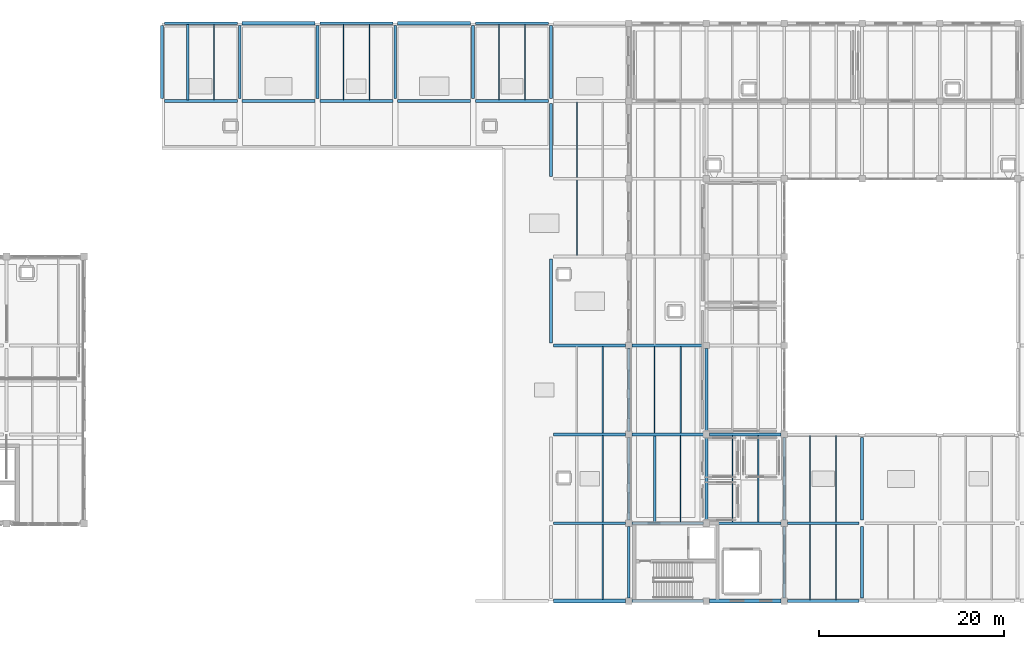
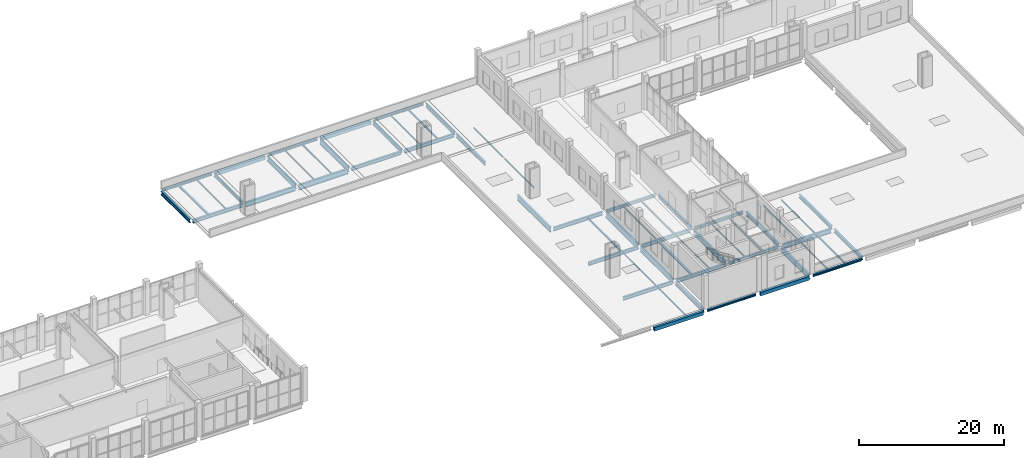
# One storey, part 19 of 49: 61 beams.
"""IFC4 building model written with IfcOpenShell, lengths in metres."""

import ifcopenshell
import ifcopenshell.guid

model = None  # the IFC model being written
_history = None  # IfcOwnerHistory: only IFC2X3 demands one
_inside = {}  # id of a spatial element -> (the spatial element, [elements in it])
_under = {}  # id of a project, library or spatial element -> (it, [spatial elements below it])
_declared = {}  # id of a project -> (the project, [libraries it declares])
_typed = {}  # id of a type object -> (the type object, [elements of that type])
_made_of = {}  # id of a material, layer set ... -> (it, [elements and type objects made of it])


def new_model(schema):
    """Start an empty IFC model of exactly this schema.

    Asked for "IFC4X3", IfcOpenShell would pick the latest addendum, in which some entities
    have other attributes; the version numbers below select the first issue.
    IFC2X3 requires an IfcOwnerHistory on every rooted entity: one is made here for all.
    """
    global model, _history
    if schema == "IFC4X3":
        model = ifcopenshell.file(schema_version=(4, 3, 0, 0))
    else:
        model = ifcopenshell.file(schema=schema)
    _inside.clear()
    _under.clear()
    _declared.clear()
    _typed.clear()
    _made_of.clear()
    _history = None
    if model.schema == "IFC2X3":
        org = make("IfcOrganization", Name="unknown")
        user = make(
            "IfcPersonAndOrganization",
            ThePerson=make("IfcPerson", FamilyName="unknown"),
            TheOrganization=org,
        )
        app = make(
            "IfcApplication",
            ApplicationDeveloper=org,
            Version="unknown",
            ApplicationFullName="unknown",
            ApplicationIdentifier="unknown",
        )
        _history = make(
            "IfcOwnerHistory",
            OwningUser=user,
            OwningApplication=app,
            ChangeAction="ADDED",
            CreationDate=0,
        )
    return model


def make(cls, **values):
    """One entity of the class cls with the attributes given. An attribute that is None is left unset."""
    return model.create_entity(
        cls, **{name: value for name, value in values.items() if value is not None}
    )


def rooted(cls, **values):
    """An entity with a GlobalId (a new one), such as an element, a storey or a relation."""
    return make(cls, GlobalId=ifcopenshell.guid.new(), OwnerHistory=_history, **values)


def si_unit(unit_type, name, prefix=None):
    """IfcSIUnit, for example si_unit("LENGTHUNIT", "METRE", prefix="MILLI")."""
    return make("IfcSIUnit", UnitType=unit_type, Prefix=prefix, Name=name)


def assignment(units):
    """IfcUnitAssignment: the units of a project."""
    return None if units is None else make("IfcUnitAssignment", Units=units)


def point(xyz):
    """IfcCartesianPoint."""
    return None if xyz is None else make("IfcCartesianPoint", Coordinates=xyz)


def direction(xyz):
    """IfcDirection."""
    return None if xyz is None else make("IfcDirection", DirectionRatios=xyz)


def frame(location, z_axis=None, x_axis=None):
    """IfcAxis2Placement3D, a coordinate frame: its origin and axes. An axis left out is left unset."""
    return make(
        "IfcAxis2Placement3D",
        Location=point(location),
        Axis=direction(z_axis),
        RefDirection=direction(x_axis),
    )


def frame_2d(location, x_axis=None):
    """IfcAxis2Placement2D, a coordinate frame in the plane: its origin and x axis."""
    return make(
        "IfcAxis2Placement2D", Location=point(location), RefDirection=direction(x_axis)
    )


def origin():
    """The frame at (0, 0, 0) with its axes left unset."""
    return frame((0.0, 0.0, 0.0))


def origin_2d():
    """The frame at (0, 0) in the plane with its x axis left unset."""
    return frame_2d((0.0, 0.0))


def place(relative_to, where):
    """IfcLocalPlacement: puts the frame where relative to a parent placement (None: the world)."""
    return make(
        "IfcLocalPlacement", PlacementRelTo=relative_to, RelativePlacement=where
    )


def context(
    kind, dimensions, precision=None, world=None, true_north=None, identifier=None
):
    """IfcGeometricRepresentationContext, for example the 3D "Model" context."""
    return make(
        "IfcGeometricRepresentationContext",
        ContextIdentifier=identifier,
        ContextType=kind,
        CoordinateSpaceDimension=dimensions,
        Precision=precision,
        WorldCoordinateSystem=world,
        TrueNorth=true_north,
    )


def subcontext(parent, identifier, kind, view, scale=None):
    """IfcGeometricRepresentationSubContext, for example "Body" below "Model"."""
    return make(
        "IfcGeometricRepresentationSubContext",
        ContextIdentifier=identifier,
        ContextType=kind,
        ParentContext=parent,
        TargetScale=scale,
        TargetView=view,
    )


def project(units=None, contexts=None):
    """IfcProject with its units and contexts."""
    return rooted(
        "IfcProject",
        Name="project",
        RepresentationContexts=contexts,
        UnitsInContext=assignment(units),
    )


def spatial(cls, under=None, at=None, **own):
    """A site, building, storey or space (cls), placed at a placement, below another one or the project."""
    s = rooted(cls, ObjectPlacement=at, **own)
    if under is not None:
        _under.setdefault(under.id(), (under, []))[1].append(s)
    return s


def profile(cls, at=None, kind="AREA", **sizes):
    """A parametric profile (cls). Its sizes go by their IFC names, for example OverallWidth=200.0."""
    return make(cls, ProfileType=kind, Position=at, **sizes)


def rectangle(**sizes):
    """IfcRectangleProfileDef."""
    return profile("IfcRectangleProfileDef", **sizes)


def i_section(**sizes):
    """IfcIShapeProfileDef."""
    return profile("IfcIShapeProfileDef", **sizes)


def extrude(swept, where, along, depth):
    """IfcExtrudedAreaSolid: the profile swept, set in the frame where, extruded along a direction by depth."""
    return make(
        "IfcExtrudedAreaSolid",
        SweptArea=swept,
        Position=where,
        ExtrudedDirection=direction(along),
        Depth=depth,
    )


def shape(context_of_items, identifier, shape_type, items):
    """IfcShapeRepresentation: the items that make up one representation, for example the "Body"."""
    return make(
        "IfcShapeRepresentation",
        ContextOfItems=context_of_items,
        RepresentationIdentifier=identifier,
        RepresentationType=shape_type,
        Items=items,
    )


def material(Name=None, Category=None):
    """IfcMaterial."""
    return make("IfcMaterial", Name=Name, Category=Category)


def material_profile(
    of_material, cross_section, Name=None, Category=None, Priority=None
):
    """IfcMaterialProfile: a cross section and its material."""
    return make(
        "IfcMaterialProfile",
        Name=Name,
        Material=of_material,
        Profile=cross_section,
        Priority=Priority,
        Category=Category,
    )


def profile_set(profiles, Name=None, composite=None):
    """IfcMaterialProfileSet."""
    return make(
        "IfcMaterialProfileSet",
        Name=Name,
        MaterialProfiles=profiles,
        CompositeProfile=composite,
    )


def made_of(thing, what):
    """Note that an element or type object is made of a material, layer set ...; save() writes the relation."""
    if what is not None:
        _made_of.setdefault(what.id(), (what, []))[1].append(thing)
    return thing


def type_object(cls, material=None, **own):
    """A type object (cls), such as IfcWallType, which elements share."""
    return made_of(rooted(cls, **own), material)


def element(
    cls,
    number,
    at=None,
    inside=None,
    cuts=None,
    type_object=None,
    material=None,
    context=None,
    identifier="Body",
    shape_type=None,
    held_by="IfcProductDefinitionShape",
    body=None,
    shapes=None,
    **own,
):
    """One element of the class cls, such as IfcWall. Its Tag is "e" and its number.

    at: its placement. inside: the storey or other place that contains it. cuts: it is an
    opening in that element (IfcRelVoidsElement). A single representation is given by context,
    identifier, shape_type and body (its items); several are given by shapes. held_by: the class
    of the entity that holds the representations. save() writes the other relations.
    """
    e = rooted(cls, Tag="e%d" % number, ObjectPlacement=at, **own)
    if body is not None:
        shapes = [shape(context, identifier, shape_type, body)]
    if shapes is not None:
        e.Representation = make(held_by, Representations=shapes)
    if inside is not None:
        _inside.setdefault(inside.id(), (inside, []))[1].append(e)
    if cuts is not None:
        rooted(
            "IfcRelVoidsElement", RelatingBuildingElement=cuts, RelatedOpeningElement=e
        )
    if type_object is not None:
        _typed.setdefault(type_object.id(), (type_object, []))[1].append(e)
    return made_of(e, material)


def aggregate(whole, parts):
    """IfcRelAggregates: a whole, such as a stair, and the parts it consists of."""
    return rooted("IfcRelAggregates", RelatingObject=whole, RelatedObjects=parts)


def save(model, path):
    """Write the relations noted so far, then the file.

    IfcRelAggregates (storeys below a building ...), IfcRelContainedInSpatialStructure (elements
    in a storey), IfcRelDefinesByType, IfcRelAssociatesMaterial and IfcRelDeclares: one each for
    every whole, place, type object, material and project.
    """
    for whole, parts in _under.values():
        aggregate(whole, parts)
    for where, things in _inside.values():
        rooted(
            "IfcRelContainedInSpatialStructure",
            RelatedElements=things,
            RelatingStructure=where,
        )
    for kind, things in _typed.values():
        rooted("IfcRelDefinesByType", RelatedObjects=things, RelatingType=kind)
    for what, things in _made_of.values():
        rooted("IfcRelAssociatesMaterial", RelatedObjects=things, RelatingMaterial=what)
    for by, libraries in _declared.values():
        rooted("IfcRelDeclares", RelatingContext=by, RelatedDefinitions=libraries)
    model.write(path)


model = new_model("IFC4")

# Units and contexts
model_context = context("Model", 3, precision=1e-05, world=origin(), true_north=direction((0.0, 1.0)))
body_context = subcontext(model_context, "Body", "Model", "MODEL_VIEW")
ifc_project = project(units=[si_unit("LENGTHUNIT", "METRE"), si_unit("AREAUNIT", "SQUARE_METRE"), si_unit("VOLUMEUNIT", "CUBIC_METRE"), si_unit("PLANEANGLEUNIT", "RADIAN"), si_unit("MASSUNIT", "GRAM", prefix="KILO")], contexts=[model_context])

# Site, building, storey
site_placement = place(None, origin())
site = spatial("IfcSite", under=ifc_project, at=site_placement, CompositionType="ELEMENT")
building_placement = place(site_placement, origin())
building = spatial("IfcBuilding", under=site, at=building_placement, Name="Zulmaris Art Gallery", CompositionType="ELEMENT")
storey_placement = place(building_placement, frame((0.0, 0.0, 20.699951171875)))
storey = spatial("IfcBuildingStorey", under=building, at=storey_placement, Name="L04", CompositionType="ELEMENT", Elevation=20.699951171875)

# Beams
ifc_material_1 = material(Name="Steel S355J2", Category="steel")
ifc_material_profile_1 = material_profile(ifc_material_1, i_section(OverallWidth=0.300048828125, OverallDepth=0.489990234375, WebThickness=0.011962890625, FlangeThickness=0.02294921875, FilletRadius=0.027099609375, at=origin_2d()), Name="HEA 500")
ifc_profile_set_1 = profile_set([ifc_material_profile_1], Name="Steel S355J2")
beam_type_1 = type_object("IfcBeamType", Name="BEAM-BM11", PredefinedType="BEAM", material=ifc_profile_set_1)
for number, where, z_axis, x_axis, name in (
    (1, (150.3349609375, 21.60009765625, -0.60498046875), (1.0, 0.0, 0.0), (0.0, 1.0, 0.0), "L04 X-girder (150.0..158.4, y=21.6)"),
    (2, (150.3349609375, 31.199951171875, -0.60498046875), (1.0, 0.0, 0.0), (0.0, 1.0, 0.0), "L04 X-girder (150.0..158.4, y=31.2)"),
    (3, (141.93505859375, 40.800048828125, -0.60498046875), (1.0, 0.0, 0.0), (0.0, 1.0, 0.0), "L04 X-girder (141.6..150.0, y=40.8)"),
):
    element("IfcBeam", number, at=place(storey_placement, frame(where, z_axis=z_axis, x_axis=x_axis)), inside=storey, type_object=beam_type_1, Name=name, PredefinedType="BEAM", context=body_context, shape_type="SweptSolid", body=[
        extrude(i_section(OverallWidth=0.300048828125, OverallDepth=0.489990234375, WebThickness=0.011962890625, FlangeThickness=0.02294921875, FilletRadius=0.027099609375, at=origin_2d()), origin(), (0.0, 0.0, 1.0), 7.72998046875),
    ])
beam_1_placement = place(storey_placement, frame((99.60009765625, 67.4599609375, -0.60498046875), z_axis=(0.0, 1.0, 0.0), x_axis=(-1.0, 0.0, 0.0)))
element("IfcBeam", 4, at=beam_1_placement, inside=storey, type_object=beam_type_1, Name="L04 Y-girder (x=99.6, 67.2..75.6)", PredefinedType="BEAM", context=body_context, shape_type="SweptSolid", body=[
    extrude(i_section(OverallWidth=0.300048828125, OverallDepth=0.489990234375, WebThickness=0.011962890625, FlangeThickness=0.02294921875, FilletRadius=0.027099609375, at=origin_2d()), origin(), (0.0, 0.0, 1.0), 7.880126953125),
])
ifc_material_profile_2 = material_profile(ifc_material_1, i_section(OverallWidth=0.300048828125, OverallDepth=0.590087890625, WebThickness=0.012939453125, FlangeThickness=0.02490234375, FilletRadius=0.027099609375, at=origin_2d()), Name="HEA 600")
ifc_profile_set_2 = profile_set([ifc_material_profile_2], Name="Steel S355J2")
beam_type_2 = type_object("IfcBeamType", Name="BEAM-BM12", PredefinedType="BEAM", material=ifc_profile_set_2)
for number, where, z_axis, x_axis, name in (
    (5, (133.4599609375, 21.60009765625, -0.655029296875), (1.0, 0.0, 0.0), (0.0, 1.0, 0.0), "L04 X-girder (133.2..141.6, y=21.6)"),
    (6, (133.4599609375, 31.199951171875, -0.655029296875), (1.0, 0.0, 0.0), (0.0, 1.0, 0.0), "L04 X-girder (133.2..141.6, y=31.2)"),
):
    element("IfcBeam", number, at=place(storey_placement, frame(where, z_axis=z_axis, x_axis=x_axis)), inside=storey, type_object=beam_type_2, Name=name, PredefinedType="BEAM", context=body_context, shape_type="SweptSolid", body=[
        extrude(i_section(OverallWidth=0.300048828125, OverallDepth=0.590087890625, WebThickness=0.012939453125, FlangeThickness=0.02490234375, FilletRadius=0.027099609375, at=origin_2d()), origin(), (0.0, 0.0, 1.0), 7.804931640625),
    ])
for number, where, z_axis, x_axis, name in (
    (7, (91.4599609375, 67.199951171875, -0.655029296875), (1.0, 0.0, 0.0), (0.0, 1.0, 0.0), "L04 X-girder (91.2..99.6, y=67.2)"),
    (8, (116.659912109375, 67.199951171875, -0.655029296875), (1.0, 0.0, 0.0), (0.0, 1.0, 0.0), "L04 X-girder (116.4..124.8, y=67.2)"),
    (9, (124.800048828125, 67.4599609375, -0.655029296875), (0.0, 1.0, 0.0), (-1.0, 0.0, 0.0), "L04 Y-girder (x=124.8, 67.2..75.6)"),
):
    element("IfcBeam", number, at=place(storey_placement, frame(where, z_axis=z_axis, x_axis=x_axis)), inside=storey, type_object=beam_type_2, Name=name, PredefinedType="BEAM", context=body_context, shape_type="SweptSolid", body=[
        extrude(i_section(OverallWidth=0.300048828125, OverallDepth=0.590087890625, WebThickness=0.012939453125, FlangeThickness=0.02490234375, FilletRadius=0.027099609375, at=origin_2d()), origin(), (0.0, 0.0, 1.0), 7.880126953125),
    ])
beam_2_placement = place(storey_placement, frame((133.199951171875, 59.06005859375, -0.655029296875), z_axis=(0.0, 1.0, 0.0), x_axis=(-1.0, 0.0, 0.0)))
element("IfcBeam", 10, at=beam_2_placement, inside=storey, type_object=beam_type_2, Name="L04 Y-girder (x=133.2, 58.8..67.2)", PredefinedType="BEAM", context=body_context, shape_type="SweptSolid", body=[
    extrude(i_section(OverallWidth=0.300048828125, OverallDepth=0.590087890625, WebThickness=0.012939453125, FlangeThickness=0.02490234375, FilletRadius=0.027099609375, at=origin_2d()), origin(), (0.0, 0.0, 1.0), 7.8798828125),
])
beam_3_placement = place(storey_placement, frame((133.199951171875, 67.4599609375, -0.655029296875), z_axis=(0.0, 1.0, 0.0), x_axis=(-1.0, 0.0, 0.0)))
element("IfcBeam", 11, at=beam_3_placement, inside=storey, type_object=beam_type_2, Name="L04 Y-girder (x=133.2, 67.2..75.6)", PredefinedType="BEAM", context=body_context, shape_type="SweptSolid", body=[
    extrude(i_section(OverallWidth=0.300048828125, OverallDepth=0.590087890625, WebThickness=0.012939453125, FlangeThickness=0.02490234375, FilletRadius=0.027099609375, at=origin_2d()), origin(), (0.0, 0.0, 1.0), 7.880126953125),
])
beam_4_placement = place(storey_placement, frame((166.800048828125, 21.93505859375, -0.655029296875), z_axis=(0.0, 1.0, 0.0), x_axis=(-1.0, 0.0, 0.0)))
element("IfcBeam", 12, at=beam_4_placement, inside=storey, type_object=beam_type_2, Name="L04 Y-girder (x=166.8, 21.6..31.2)", PredefinedType="BEAM", context=body_context, shape_type="SweptSolid", body=[
    extrude(i_section(OverallWidth=0.300048828125, OverallDepth=0.590087890625, WebThickness=0.012939453125, FlangeThickness=0.02490234375, FilletRadius=0.027099609375, at=origin_2d()), origin(), (0.0, 0.0, 1.0), 8.929931640625),
])
ifc_material_profile_3 = material_profile(ifc_material_1, i_section(OverallWidth=0.300048828125, OverallDepth=0.60009765625, WebThickness=0.015380859375, FlangeThickness=0.030029296875, FilletRadius=0.027099609375, at=origin_2d()), Name="HEB 600")
ifc_profile_set_3 = profile_set([ifc_material_profile_3], Name="Steel S355J2")
beam_type_3 = type_object("IfcBeamType", Name="BEAM-BM15", PredefinedType="BEAM", material=ifc_profile_set_3)
for number, where, z_axis, x_axis, name in (
    (13, (141.93505859375, 21.60009765625, -0.659912109375), (1.0, 0.0, 0.0), (0.0, 1.0, 0.0), "L04 X-girder (141.6..150.0, y=21.6)"),
    (14, (141.93505859375, 31.199951171875, -0.659912109375), (1.0, 0.0, 0.0), (0.0, 1.0, 0.0), "L04 X-girder (141.6..150.0, y=31.2)"),
):
    element("IfcBeam", number, at=place(storey_placement, frame(where, z_axis=z_axis, x_axis=x_axis)), inside=storey, type_object=beam_type_3, Name=name, PredefinedType="BEAM", context=body_context, shape_type="SweptSolid", body=[
        extrude(i_section(OverallWidth=0.300048828125, OverallDepth=0.60009765625, WebThickness=0.015380859375, FlangeThickness=0.030029296875, FilletRadius=0.027099609375, at=origin_2d()), origin(), (0.0, 0.0, 1.0), 7.72998046875),
    ])
beam_5_placement = place(storey_placement, frame((133.4599609375, 40.800048828125, -0.659912109375), z_axis=(1.0, 0.0, 0.0), x_axis=(0.0, 1.0, 0.0)))
element("IfcBeam", 15, at=beam_5_placement, inside=storey, type_object=beam_type_3, Name="L04 X-girder (133.2..141.6, y=40.8)", PredefinedType="BEAM", context=body_context, shape_type="SweptSolid", body=[
    extrude(i_section(OverallWidth=0.300048828125, OverallDepth=0.60009765625, WebThickness=0.015380859375, FlangeThickness=0.030029296875, FilletRadius=0.027099609375, at=origin_2d()), origin(), (0.0, 0.0, 1.0), 7.804931640625),
])
beam_6_placement = place(storey_placement, frame((125.06005859375, 67.199951171875, -0.659912109375), z_axis=(1.0, 0.0, 0.0), x_axis=(0.0, 1.0, 0.0)))
element("IfcBeam", 16, at=beam_6_placement, inside=storey, type_object=beam_type_3, Name="L04 X-girder (124.8..133.2, y=67.2)", PredefinedType="BEAM", context=body_context, shape_type="SweptSolid", body=[
    extrude(i_section(OverallWidth=0.300048828125, OverallDepth=0.60009765625, WebThickness=0.015380859375, FlangeThickness=0.030029296875, FilletRadius=0.027099609375, at=origin_2d()), origin(), (0.0, 0.0, 1.0), 7.8798828125),
])
beam_7_placement = place(storey_placement, frame((91.199951171875, 67.4599609375, -0.659912109375), z_axis=(0.0, 1.0, 0.0), x_axis=(-1.0, 0.0, 0.0)))
element("IfcBeam", 17, at=beam_7_placement, inside=storey, type_object=beam_type_3, Name="L04 Y-girder (x=91.2, 67.2..75.6)", PredefinedType="BEAM", context=body_context, shape_type="SweptSolid", body=[
    extrude(i_section(OverallWidth=0.300048828125, OverallDepth=0.60009765625, WebThickness=0.015380859375, FlangeThickness=0.030029296875, FilletRadius=0.027099609375, at=origin_2d()), origin(), (0.0, 0.0, 1.0), 7.880126953125),
])
beam_8_placement = place(storey_placement, frame((141.60009765625, 13.534912109375, -0.659912109375), z_axis=(0.0, 1.0, 0.0), x_axis=(-1.0, 0.0, 0.0)))
element("IfcBeam", 18, at=beam_8_placement, inside=storey, type_object=beam_type_3, Name="L04 Y-girder (x=141.6, 13.2..21.6)", PredefinedType="BEAM", context=body_context, shape_type="SweptSolid", body=[
    extrude(i_section(OverallWidth=0.300048828125, OverallDepth=0.60009765625, WebThickness=0.015380859375, FlangeThickness=0.030029296875, FilletRadius=0.027099609375, at=origin_2d()), origin(), (0.0, 0.0, 1.0), 7.72998046875),
])
beam_9_placement = place(storey_placement, frame((150.0, 31.534912109375, -0.659912109375), z_axis=(0.0, 1.0, 0.0), x_axis=(-1.0, 0.0, 0.0)))
element("IfcBeam", 19, at=beam_9_placement, inside=storey, type_object=beam_type_3, Name="L04 Y-girder (x=150.0, 31.2..40.8)", PredefinedType="BEAM", context=body_context, shape_type="SweptSolid", body=[
    extrude(i_section(OverallWidth=0.300048828125, OverallDepth=0.60009765625, WebThickness=0.015380859375, FlangeThickness=0.030029296875, FilletRadius=0.027099609375, at=origin_2d()), origin(), (0.0, 0.0, 1.0), 8.93017578125),
])
beam_10_placement = place(storey_placement, frame((158.39990234375, 21.93505859375, -0.659912109375), z_axis=(0.0, 1.0, 0.0), x_axis=(-1.0, 0.0, 0.0)))
element("IfcBeam", 20, at=beam_10_placement, inside=storey, type_object=beam_type_3, Name="L04 Y-girder (x=158.4, 21.6..31.2)", PredefinedType="BEAM", context=body_context, shape_type="SweptSolid", body=[
    extrude(i_section(OverallWidth=0.300048828125, OverallDepth=0.60009765625, WebThickness=0.015380859375, FlangeThickness=0.030029296875, FilletRadius=0.027099609375, at=origin_2d()), origin(), (0.0, 0.0, 1.0), 8.929931640625),
])
beam_11_placement = place(storey_placement, frame((166.800048828125, 13.534912109375, -0.659912109375), z_axis=(0.0, 1.0, 0.0), x_axis=(-1.0, 0.0, 0.0)))
element("IfcBeam", 21, at=beam_11_placement, inside=storey, type_object=beam_type_3, Name="L04 Y-girder (x=166.8, 13.2..21.6)", PredefinedType="BEAM", context=body_context, shape_type="SweptSolid", body=[
    extrude(i_section(OverallWidth=0.300048828125, OverallDepth=0.60009765625, WebThickness=0.015380859375, FlangeThickness=0.030029296875, FilletRadius=0.027099609375, at=origin_2d()), origin(), (0.0, 0.0, 1.0), 7.72998046875),
])
ifc_material_profile_4 = material_profile(ifc_material_1, i_section(OverallWidth=0.300048828125, OverallDepth=0.800048828125, WebThickness=0.017578125, FlangeThickness=0.032958984375, FilletRadius=0.030029296875, at=origin_2d()), Name="HEB 800")
ifc_profile_set_4 = profile_set([ifc_material_profile_4], Name="Steel S355J2")
beam_type_4 = type_object("IfcBeamType", Name="BEAM-BM17", PredefinedType="BEAM", material=ifc_profile_set_4)
beam_12_placement = place(storey_placement, frame((158.735107421875, 21.60009765625, -0.760009765625), z_axis=(1.0, 0.0, 0.0), x_axis=(0.0, 1.0, 0.0)))
element("IfcBeam", 22, at=beam_12_placement, inside=storey, type_object=beam_type_4, Name="L04 X-girder (158.4..166.8, y=21.6)", PredefinedType="BEAM", context=body_context, shape_type="SweptSolid", body=[
    extrude(i_section(OverallWidth=0.300048828125, OverallDepth=0.800048828125, WebThickness=0.017578125, FlangeThickness=0.032958984375, FilletRadius=0.030029296875, at=origin_2d()), origin(), (0.0, 0.0, 1.0), 7.72998046875),
])
beam_13_placement = place(storey_placement, frame((99.860107421875, 67.199951171875, -0.760009765625), z_axis=(1.0, 0.0, 0.0), x_axis=(0.0, 1.0, 0.0)))
element("IfcBeam", 23, at=beam_13_placement, inside=storey, type_object=beam_type_4, Name="L04 X-girder (99.6..108.0, y=67.2)", PredefinedType="BEAM", context=body_context, shape_type="SweptSolid", body=[
    extrude(i_section(OverallWidth=0.300048828125, OverallDepth=0.800048828125, WebThickness=0.017578125, FlangeThickness=0.032958984375, FilletRadius=0.030029296875, at=origin_2d()), origin(), (0.0, 0.0, 1.0), 7.8798828125),
])
beam_14_placement = place(storey_placement, frame((108.0, 67.4599609375, -0.760009765625), z_axis=(0.0, 1.0, 0.0), x_axis=(-1.0, 0.0, 0.0)))
element("IfcBeam", 24, at=beam_14_placement, inside=storey, type_object=beam_type_4, Name="L04 Y-girder (x=108.0, 67.2..75.6)", PredefinedType="BEAM", context=body_context, shape_type="SweptSolid", body=[
    extrude(i_section(OverallWidth=0.300048828125, OverallDepth=0.800048828125, WebThickness=0.017578125, FlangeThickness=0.032958984375, FilletRadius=0.030029296875, at=origin_2d()), origin(), (0.0, 0.0, 1.0), 7.880126953125),
])
beam_15_placement = place(storey_placement, frame((141.60009765625, 21.93505859375, -0.760009765625), z_axis=(0.0, 1.0, 0.0), x_axis=(-1.0, 0.0, 0.0)))
element("IfcBeam", 25, at=beam_15_placement, inside=storey, type_object=beam_type_4, Name="L04 Y-girder (x=141.6, 21.6..31.2)", PredefinedType="BEAM", context=body_context, shape_type="SweptSolid", body=[
    extrude(i_section(OverallWidth=0.300048828125, OverallDepth=0.800048828125, WebThickness=0.017578125, FlangeThickness=0.032958984375, FilletRadius=0.030029296875, at=origin_2d()), origin(), (0.0, 0.0, 1.0), 8.929931640625),
])
ifc_material_profile_5 = material_profile(ifc_material_1, i_section(OverallWidth=0.300048828125, OverallDepth=0.89990234375, WebThickness=0.0185546875, FlangeThickness=0.034912109375, FilletRadius=0.030029296875, at=origin_2d()), Name="HEB 900")
ifc_profile_set_5 = profile_set([ifc_material_profile_5], Name="Steel S355J2")
beam_type_5 = type_object("IfcBeamType", Name="BEAM-BM18", PredefinedType="BEAM", material=ifc_profile_set_5)
beam_16_placement = place(storey_placement, frame((108.260009765625, 67.199951171875, -0.81005859375), z_axis=(1.0, 0.0, 0.0), x_axis=(0.0, 1.0, 0.0)))
element("IfcBeam", 26, at=beam_16_placement, inside=storey, type_object=beam_type_5, Name="L04 X-girder (108.0..116.4, y=67.2)", PredefinedType="BEAM", context=body_context, shape_type="SweptSolid", body=[
    extrude(i_section(OverallWidth=0.300048828125, OverallDepth=0.89990234375, WebThickness=0.0185546875, FlangeThickness=0.034912109375, FilletRadius=0.030029296875, at=origin_2d()), origin(), (0.0, 0.0, 1.0), 7.8798828125),
])
beam_17_placement = place(storey_placement, frame((116.39990234375, 67.4599609375, -0.81005859375), z_axis=(0.0, 1.0, 0.0), x_axis=(-1.0, 0.0, 0.0)))
element("IfcBeam", 27, at=beam_17_placement, inside=storey, type_object=beam_type_5, Name="L04 Y-girder (x=116.4, 67.2..75.6)", PredefinedType="BEAM", context=body_context, shape_type="SweptSolid", body=[
    extrude(i_section(OverallWidth=0.300048828125, OverallDepth=0.89990234375, WebThickness=0.0185546875, FlangeThickness=0.034912109375, FilletRadius=0.030029296875, at=origin_2d()), origin(), (0.0, 0.0, 1.0), 7.880126953125),
])
beam_18_placement = place(storey_placement, frame((133.199951171875, 41.06005859375, -0.81005859375), z_axis=(0.0, 1.0, 0.0), x_axis=(-1.0, 0.0, 0.0)))
element("IfcBeam", 28, at=beam_18_placement, inside=storey, type_object=beam_type_5, Name="L04 Y-girder (x=133.2, 40.8..50.4)", PredefinedType="BEAM", context=body_context, shape_type="SweptSolid", body=[
    extrude(i_section(OverallWidth=0.300048828125, OverallDepth=0.89990234375, WebThickness=0.0185546875, FlangeThickness=0.034912109375, FilletRadius=0.030029296875, at=origin_2d()), origin(), (0.0, 0.0, 1.0), 9.079833984375),
])
beam_19_placement = place(storey_placement, frame((141.60009765625, 31.534912109375, -0.81005859375), z_axis=(0.0, 1.0, 0.0), x_axis=(-1.0, 0.0, 0.0)))
element("IfcBeam", 29, at=beam_19_placement, inside=storey, type_object=beam_type_5, Name="L04 Y-girder (x=141.6, 31.2..40.8)", PredefinedType="BEAM", context=body_context, shape_type="SweptSolid", body=[
    extrude(i_section(OverallWidth=0.300048828125, OverallDepth=0.89990234375, WebThickness=0.0185546875, FlangeThickness=0.034912109375, FilletRadius=0.030029296875, at=origin_2d()), origin(), (0.0, 0.0, 1.0), 8.93017578125),
])
beam_20_placement = place(storey_placement, frame((150.0, 21.93505859375, -0.81005859375), z_axis=(0.0, 1.0, 0.0), x_axis=(-1.0, 0.0, 0.0)))
element("IfcBeam", 30, at=beam_20_placement, inside=storey, type_object=beam_type_5, Name="L04 Y-girder (x=150.0, 21.6..31.2)", PredefinedType="BEAM", context=body_context, shape_type="SweptSolid", body=[
    extrude(i_section(OverallWidth=0.300048828125, OverallDepth=0.89990234375, WebThickness=0.0185546875, FlangeThickness=0.034912109375, FilletRadius=0.030029296875, at=origin_2d()), origin(), (0.0, 0.0, 1.0), 8.929931640625),
])
beam_21_placement = place(storey_placement, frame((158.39990234375, 13.534912109375, -0.81005859375), z_axis=(0.0, 1.0, 0.0), x_axis=(-1.0, 0.0, 0.0)))
element("IfcBeam", 31, at=beam_21_placement, inside=storey, type_object=beam_type_5, Name="L04 Y-girder (x=158.4, 13.2..21.6)", PredefinedType="BEAM", context=body_context, shape_type="SweptSolid", body=[
    extrude(i_section(OverallWidth=0.300048828125, OverallDepth=0.89990234375, WebThickness=0.0185546875, FlangeThickness=0.034912109375, FilletRadius=0.030029296875, at=origin_2d()), origin(), (0.0, 0.0, 1.0), 7.72998046875),
])
ifc_material_profile_6 = material_profile(ifc_material_1, i_section(OverallWidth=0.1201171875, OverallDepth=0.239990234375, WebThickness=0.006103515625, FlangeThickness=0.009765625, FilletRadius=0.014892578125, at=origin_2d()), Name="IPE 240")
ifc_profile_set_6 = profile_set([ifc_material_profile_6], Name="Steel S355J2")
beam_type_6 = type_object("IfcBeamType", Name="BEAM-JS01", PredefinedType="JOIST", material=ifc_profile_set_6)
for number, where, z_axis, x_axis, name in (
    (32, (96.800048828125, 67.324951171875, -0.47998046875), (0.0, 1.0, 0.0), (-1.0, 0.0, 0.0), "L04 secondary joist at x=96.8"),
    (33, (110.800048828125, 67.324951171875, -0.47998046875), (0.0, 1.0, 0.0), (-1.0, 0.0, 0.0), "L04 secondary joist at x=110.8"),
    (34, (127.60009765625, 67.324951171875, -0.47998046875), (0.0, 1.0, 0.0), (-1.0, 0.0, 0.0), "L04 secondary joist at x=127.6"),
):
    element("IfcBeam", number, at=place(storey_placement, frame(where, z_axis=z_axis, x_axis=x_axis)), inside=storey, type_object=beam_type_6, Name=name, PredefinedType="JOIST", context=body_context, shape_type="SweptSolid", body=[
        extrude(i_section(OverallWidth=0.1201171875, OverallDepth=0.239990234375, WebThickness=0.006103515625, FlangeThickness=0.009765625, FilletRadius=0.014892578125, at=origin_2d()), origin(), (0.0, 0.0, 1.0), 8.150146484375),
    ])
beam_22_placement = place(storey_placement, frame((138.800048828125, 13.375, -0.47998046875), z_axis=(0.0, 1.0, 0.0), x_axis=(-1.0, 0.0, 0.0)))
element("IfcBeam", 35, at=beam_22_placement, inside=storey, type_object=beam_type_6, Name="L04 secondary joist at x=138.8", PredefinedType="JOIST", context=body_context, shape_type="SweptSolid", body=[
    extrude(i_section(OverallWidth=0.1201171875, OverallDepth=0.239990234375, WebThickness=0.006103515625, FlangeThickness=0.009765625, FilletRadius=0.014892578125, at=origin_2d()), origin(), (0.0, 0.0, 1.0), 8.10009765625),
])
beam_23_placement = place(storey_placement, frame((138.800048828125, 21.72509765625, -0.47998046875), z_axis=(0.0, 1.0, 0.0), x_axis=(-1.0, 0.0, 0.0)))
element("IfcBeam", 36, at=beam_23_placement, inside=storey, type_object=beam_type_6, Name="L04 secondary joist at x=138.8", PredefinedType="JOIST", context=body_context, shape_type="SweptSolid", body=[
    extrude(i_section(OverallWidth=0.1201171875, OverallDepth=0.239990234375, WebThickness=0.006103515625, FlangeThickness=0.009765625, FilletRadius=0.014892578125, at=origin_2d()), origin(), (0.0, 0.0, 1.0), 9.349853515625),
])
beam_24_placement = place(storey_placement, frame((136.0, 50.52490234375, -0.47998046875), z_axis=(0.0, 1.0, 0.0), x_axis=(-1.0, 0.0, 0.0)))
element("IfcBeam", 37, at=beam_24_placement, inside=storey, type_object=beam_type_6, Name="L04 secondary joist at x=136.0", PredefinedType="JOIST", context=body_context, shape_type="SweptSolid", body=[
    extrude(i_section(OverallWidth=0.1201171875, OverallDepth=0.239990234375, WebThickness=0.006103515625, FlangeThickness=0.009765625, FilletRadius=0.014892578125, at=origin_2d()), origin(), (0.0, 0.0, 1.0), 8.150146484375),
])
beam_25_placement = place(storey_placement, frame((136.0, 58.925048828125, -0.47998046875), z_axis=(0.0, 1.0, 0.0), x_axis=(-1.0, 0.0, 0.0)))
element("IfcBeam", 38, at=beam_25_placement, inside=storey, type_object=beam_type_6, Name="L04 secondary joist at x=136.0", PredefinedType="JOIST", context=body_context, shape_type="SweptSolid", body=[
    extrude(i_section(OverallWidth=0.1201171875, OverallDepth=0.239990234375, WebThickness=0.006103515625, FlangeThickness=0.009765625, FilletRadius=0.014892578125, at=origin_2d()), origin(), (0.0, 0.0, 1.0), 8.14990234375),
])
for number, where, z_axis, x_axis, name in (
    (39, (147.199951171875, 21.72509765625, -0.47998046875), (0.0, 1.0, 0.0), (-1.0, 0.0, 0.0), "L04 secondary joist at x=147.2"),
    (40, (152.800048828125, 21.72509765625, -0.47998046875), (0.0, 1.0, 0.0), (-1.0, 0.0, 0.0), "L04 secondary joist at x=152.8"),
):
    element("IfcBeam", number, at=place(storey_placement, frame(where, z_axis=z_axis, x_axis=x_axis)), inside=storey, type_object=beam_type_6, Name=name, PredefinedType="JOIST", context=body_context, shape_type="SweptSolid", body=[
        extrude(i_section(OverallWidth=0.1201171875, OverallDepth=0.239990234375, WebThickness=0.006103515625, FlangeThickness=0.009765625, FilletRadius=0.014892578125, at=origin_2d()), origin(), (0.0, 0.0, 1.0), 9.349853515625),
    ])
beam_26_placement = place(storey_placement, frame((161.199951171875, 13.324951171875, -0.47998046875), z_axis=(0.0, 1.0, 0.0), x_axis=(-1.0, 0.0, 0.0)))
element("IfcBeam", 41, at=beam_26_placement, inside=storey, type_object=beam_type_6, Name="L04 secondary joist at x=161.2", PredefinedType="JOIST", context=body_context, shape_type="SweptSolid", body=[
    extrude(i_section(OverallWidth=0.1201171875, OverallDepth=0.239990234375, WebThickness=0.006103515625, FlangeThickness=0.009765625, FilletRadius=0.014892578125, at=origin_2d()), origin(), (0.0, 0.0, 1.0), 8.150146484375),
])
beam_27_placement = place(storey_placement, frame((161.199951171875, 21.72509765625, -0.47998046875), z_axis=(0.0, 1.0, 0.0), x_axis=(-1.0, 0.0, 0.0)))
element("IfcBeam", 42, at=beam_27_placement, inside=storey, type_object=beam_type_6, Name="L04 secondary joist at x=161.2", PredefinedType="JOIST", context=body_context, shape_type="SweptSolid", body=[
    extrude(i_section(OverallWidth=0.1201171875, OverallDepth=0.239990234375, WebThickness=0.006103515625, FlangeThickness=0.009765625, FilletRadius=0.014892578125, at=origin_2d()), origin(), (0.0, 0.0, 1.0), 9.349853515625),
])
ifc_material_profile_7 = material_profile(ifc_material_1, i_section(OverallWidth=0.135009765625, OverallDepth=0.27001953125, WebThickness=0.006591796875, FlangeThickness=0.01025390625, FilletRadius=0.014892578125, at=origin_2d()), Name="IPE 270")
ifc_profile_set_7 = profile_set([ifc_material_profile_7], Name="Steel S355J2")
beam_type_7 = type_object("IfcBeamType", Name="BEAM-JS02", PredefinedType="JOIST", material=ifc_profile_set_7)
for number, where, z_axis, x_axis, name in (
    (43, (113.60009765625, 67.324951171875, -0.494873046875), (0.0, 1.0, 0.0), (-1.0, 0.0, 0.0), "L04 secondary joist at x=113.6"),
    (44, (130.39990234375, 67.324951171875, -0.494873046875), (0.0, 1.0, 0.0), (-1.0, 0.0, 0.0), "L04 secondary joist at x=130.4"),
):
    element("IfcBeam", number, at=place(storey_placement, frame(where, z_axis=z_axis, x_axis=x_axis)), inside=storey, type_object=beam_type_7, Name=name, PredefinedType="JOIST", context=body_context, shape_type="SweptSolid", body=[
        extrude(i_section(OverallWidth=0.135009765625, OverallDepth=0.27001953125, WebThickness=0.006591796875, FlangeThickness=0.01025390625, FilletRadius=0.014892578125, at=origin_2d()), origin(), (0.0, 0.0, 1.0), 8.150146484375),
    ])
beam_28_placement = place(storey_placement, frame((144.39990234375, 31.324951171875, -0.494873046875), z_axis=(0.0, 1.0, 0.0), x_axis=(-1.0, 0.0, 0.0)))
element("IfcBeam", 45, at=beam_28_placement, inside=storey, type_object=beam_type_7, Name="L04 secondary joist at x=144.4", PredefinedType="JOIST", context=body_context, shape_type="SweptSolid", body=[
    extrude(i_section(OverallWidth=0.135009765625, OverallDepth=0.27001953125, WebThickness=0.006591796875, FlangeThickness=0.01025390625, FilletRadius=0.014892578125, at=origin_2d()), origin(), (0.0, 0.0, 1.0), 9.35009765625),
])
beam_29_placement = place(storey_placement, frame((155.60009765625, 21.72509765625, -0.494873046875), z_axis=(0.0, 1.0, 0.0), x_axis=(-1.0, 0.0, 0.0)))
element("IfcBeam", 46, at=beam_29_placement, inside=storey, type_object=beam_type_7, Name="L04 secondary joist at x=155.6", PredefinedType="JOIST", context=body_context, shape_type="SweptSolid", body=[
    extrude(i_section(OverallWidth=0.135009765625, OverallDepth=0.27001953125, WebThickness=0.006591796875, FlangeThickness=0.01025390625, FilletRadius=0.014892578125, at=origin_2d()), origin(), (0.0, 0.0, 1.0), 9.349853515625),
])
beam_30_placement = place(storey_placement, frame((164.0, 13.324951171875, -0.494873046875), z_axis=(0.0, 1.0, 0.0), x_axis=(-1.0, 0.0, 0.0)))
element("IfcBeam", 47, at=beam_30_placement, inside=storey, type_object=beam_type_7, Name="L04 secondary joist at x=164.0", PredefinedType="JOIST", context=body_context, shape_type="SweptSolid", body=[
    extrude(i_section(OverallWidth=0.135009765625, OverallDepth=0.27001953125, WebThickness=0.006591796875, FlangeThickness=0.01025390625, FilletRadius=0.014892578125, at=origin_2d()), origin(), (0.0, 0.0, 1.0), 8.150146484375),
])
beam_31_placement = place(storey_placement, frame((164.0, 21.72509765625, -0.494873046875), z_axis=(0.0, 1.0, 0.0), x_axis=(-1.0, 0.0, 0.0)))
element("IfcBeam", 48, at=beam_31_placement, inside=storey, type_object=beam_type_7, Name="L04 secondary joist at x=164.0", PredefinedType="JOIST", context=body_context, shape_type="SweptSolid", body=[
    extrude(i_section(OverallWidth=0.135009765625, OverallDepth=0.27001953125, WebThickness=0.006591796875, FlangeThickness=0.01025390625, FilletRadius=0.014892578125, at=origin_2d()), origin(), (0.0, 0.0, 1.0), 9.349853515625),
])
ifc_material_profile_8 = material_profile(ifc_material_1, i_section(OverallWidth=0.159912109375, OverallDepth=0.330078125, WebThickness=0.007568359375, FlangeThickness=0.011474609375, FilletRadius=0.01806640625, at=origin_2d()), Name="IPE 330")
ifc_profile_set_8 = profile_set([ifc_material_profile_8], Name="Steel S355J2")
beam_type_8 = type_object("IfcBeamType", Name="BEAM-JS03", PredefinedType="JOIST", material=ifc_profile_set_8)
for number, where, z_axis, x_axis, name in (
    (49, (138.800048828125, 31.324951171875, -0.52490234375), (0.0, 1.0, 0.0), (-1.0, 0.0, 0.0), "L04 secondary joist at x=138.8"),
    (50, (147.199951171875, 31.324951171875, -0.52490234375), (0.0, 1.0, 0.0), (-1.0, 0.0, 0.0), "L04 secondary joist at x=147.2"),
):
    element("IfcBeam", number, at=place(storey_placement, frame(where, z_axis=z_axis, x_axis=x_axis)), inside=storey, type_object=beam_type_8, Name=name, PredefinedType="JOIST", context=body_context, shape_type="SweptSolid", body=[
        extrude(i_section(OverallWidth=0.159912109375, OverallDepth=0.330078125, WebThickness=0.007568359375, FlangeThickness=0.011474609375, FilletRadius=0.01806640625, at=origin_2d()), origin(), (0.0, 0.0, 1.0), 9.35009765625),
    ])
ifc_material_profile_9 = material_profile(ifc_material_1, i_section(OverallWidth=0.280029296875, OverallDepth=0.27001953125, WebThickness=0.008056640625, FlangeThickness=0.012939453125, FilletRadius=0.02392578125, at=origin_2d()), Name="HEA 280")
ifc_profile_set_9 = profile_set([ifc_material_profile_9], Name="Steel S355J2")
beam_type_9 = type_object("IfcBeamType", Name="BEAM-JS04", PredefinedType="JOIST", material=ifc_profile_set_9)
beam_32_placement = place(storey_placement, frame((94.0, 67.324951171875, -0.494873046875), z_axis=(0.0, 1.0, 0.0), x_axis=(-1.0, 0.0, 0.0)))
element("IfcBeam", 51, at=beam_32_placement, inside=storey, type_object=beam_type_9, Name="L04 secondary joist at x=94.0", PredefinedType="JOIST", context=body_context, shape_type="SweptSolid", body=[
    extrude(i_section(OverallWidth=0.280029296875, OverallDepth=0.27001953125, WebThickness=0.008056640625, FlangeThickness=0.012939453125, FilletRadius=0.02392578125, at=origin_2d()), origin(), (0.0, 0.0, 1.0), 8.150146484375),
])
beam_33_placement = place(storey_placement, frame((144.39990234375, 21.72509765625, -0.494873046875), z_axis=(0.0, 1.0, 0.0), x_axis=(-1.0, 0.0, 0.0)))
element("IfcBeam", 52, at=beam_33_placement, inside=storey, type_object=beam_type_9, Name="L04 secondary joist at x=144.4", PredefinedType="JOIST", context=body_context, shape_type="SweptSolid", body=[
    extrude(i_section(OverallWidth=0.280029296875, OverallDepth=0.27001953125, WebThickness=0.008056640625, FlangeThickness=0.012939453125, FilletRadius=0.02392578125, at=origin_2d()), origin(), (0.0, 0.0, 1.0), 9.349853515625),
])
ifc_material_profile_10 = material_profile(ifc_material_1, i_section(OverallWidth=0.300048828125, OverallDepth=0.35009765625, WebThickness=0.010009765625, FlangeThickness=0.017578125, FilletRadius=0.027099609375, at=origin_2d()), Name="HEA 360")
ifc_profile_set_10 = profile_set([ifc_material_profile_10], Name="Steel S355J2")
beam_type_10 = type_object("IfcBeamType", Name="BEAM-SP01", PredefinedType="SPANDREL", material=ifc_profile_set_10)
for number, where, z_axis, x_axis, name in (
    (53, (141.93505859375, 13.199951171875, -0.534912109375), (1.0, 0.0, 0.0), (0.0, 1.0, 0.0), "L04 X-girder (141.6..150.0, y=13.2)"),
    (54, (158.735107421875, 13.199951171875, -0.534912109375), (1.0, 0.0, 0.0), (0.0, 1.0, 0.0), "L04 X-girder (158.4..166.8, y=13.2)"),
):
    element("IfcBeam", number, at=place(storey_placement, frame(where, z_axis=z_axis, x_axis=x_axis)), inside=storey, type_object=beam_type_10, Name=name, PredefinedType="SPANDREL", context=body_context, shape_type="SweptSolid", body=[
        extrude(i_section(OverallWidth=0.300048828125, OverallDepth=0.35009765625, WebThickness=0.010009765625, FlangeThickness=0.017578125, FilletRadius=0.027099609375, at=origin_2d()), origin(), (0.0, 0.0, 1.0), 7.72998046875),
    ])
beam_34_placement = place(storey_placement, frame((91.4599609375, 75.60009765625, -0.534912109375), z_axis=(1.0, 0.0, 0.0), x_axis=(0.0, 1.0, 0.0)))
element("IfcBeam", 55, at=beam_34_placement, inside=storey, type_object=beam_type_10, Name="L04 X-girder (91.2..99.6, y=75.6)", PredefinedType="SPANDREL", context=body_context, shape_type="SweptSolid", body=[
    extrude(i_section(OverallWidth=0.300048828125, OverallDepth=0.35009765625, WebThickness=0.010009765625, FlangeThickness=0.017578125, FilletRadius=0.027099609375, at=origin_2d()), origin(), (0.0, 0.0, 1.0), 7.880126953125),
])
for number, where, z_axis, x_axis, name in (
    (56, (108.260009765625, 75.60009765625, -0.534912109375), (1.0, 0.0, 0.0), (0.0, 1.0, 0.0), "L04 X-girder (108.0..116.4, y=75.6)"),
    (57, (125.06005859375, 75.60009765625, -0.534912109375), (1.0, 0.0, 0.0), (0.0, 1.0, 0.0), "L04 X-girder (124.8..133.2, y=75.6)"),
):
    element("IfcBeam", number, at=place(storey_placement, frame(where, z_axis=z_axis, x_axis=x_axis)), inside=storey, type_object=beam_type_10, Name=name, PredefinedType="SPANDREL", context=body_context, shape_type="SweptSolid", body=[
        extrude(i_section(OverallWidth=0.300048828125, OverallDepth=0.35009765625, WebThickness=0.010009765625, FlangeThickness=0.017578125, FilletRadius=0.027099609375, at=origin_2d()), origin(), (0.0, 0.0, 1.0), 7.8798828125),
    ])
ifc_material_2 = material(Name="Concrete C40/50", Category="concrete")
ifc_material_profile_11 = material_profile(ifc_material_2, rectangle(XDim=0.39990234375, YDim=0.60009765625, at=origin_2d()), Name="RC 400x600")
ifc_profile_set_11 = profile_set([ifc_material_profile_11], Name="Concrete C40/50")
beam_type_11 = type_object("IfcBeamType", Name="BEAM-SP03", PredefinedType="SPANDREL", material=ifc_profile_set_11)
beam_35_placement = place(storey_placement, frame((133.4599609375, 13.199951171875, -0.659912109375), z_axis=(1.0, 0.0, 0.0), x_axis=(0.0, 1.0, 0.0)))
element("IfcBeam", 58, at=beam_35_placement, inside=storey, type_object=beam_type_11, Name="L04 X-girder (133.2..141.6, y=13.2)", PredefinedType="SPANDREL", context=body_context, shape_type="SweptSolid", body=[
    extrude(rectangle(XDim=0.39990234375, YDim=0.60009765625, at=origin_2d()), origin(), (0.0, 0.0, 1.0), 7.804931640625),
])
beam_36_placement = place(storey_placement, frame((150.3349609375, 13.199951171875, -0.659912109375), z_axis=(1.0, 0.0, 0.0), x_axis=(0.0, 1.0, 0.0)))
element("IfcBeam", 59, at=beam_36_placement, inside=storey, type_object=beam_type_11, Name="L04 X-girder (150.0..158.4, y=13.2)", PredefinedType="SPANDREL", context=body_context, shape_type="SweptSolid", body=[
    extrude(rectangle(XDim=0.39990234375, YDim=0.60009765625, at=origin_2d()), origin(), (0.0, 0.0, 1.0), 7.72998046875),
])
beam_37_placement = place(storey_placement, frame((99.860107421875, 75.60009765625, -0.659912109375), z_axis=(1.0, 0.0, 0.0), x_axis=(0.0, 1.0, 0.0)))
element("IfcBeam", 60, at=beam_37_placement, inside=storey, type_object=beam_type_11, Name="L04 X-girder (99.6..108.0, y=75.6)", PredefinedType="SPANDREL", context=body_context, shape_type="SweptSolid", body=[
    extrude(rectangle(XDim=0.39990234375, YDim=0.60009765625, at=origin_2d()), origin(), (0.0, 0.0, 1.0), 7.8798828125),
])
beam_38_placement = place(storey_placement, frame((116.659912109375, 75.60009765625, -0.659912109375), z_axis=(1.0, 0.0, 0.0), x_axis=(0.0, 1.0, 0.0)))
element("IfcBeam", 61, at=beam_38_placement, inside=storey, type_object=beam_type_11, Name="L04 X-girder (116.4..124.8, y=75.6)", PredefinedType="SPANDREL", context=body_context, shape_type="SweptSolid", body=[
    extrude(rectangle(XDim=0.39990234375, YDim=0.60009765625, at=origin_2d()), origin(), (0.0, 0.0, 1.0), 7.880126953125),
])

save(model, "model.ifc")
